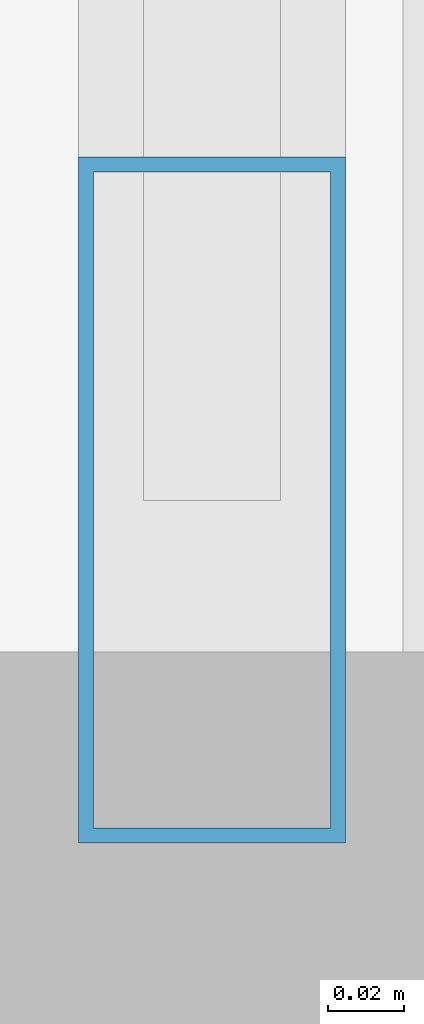
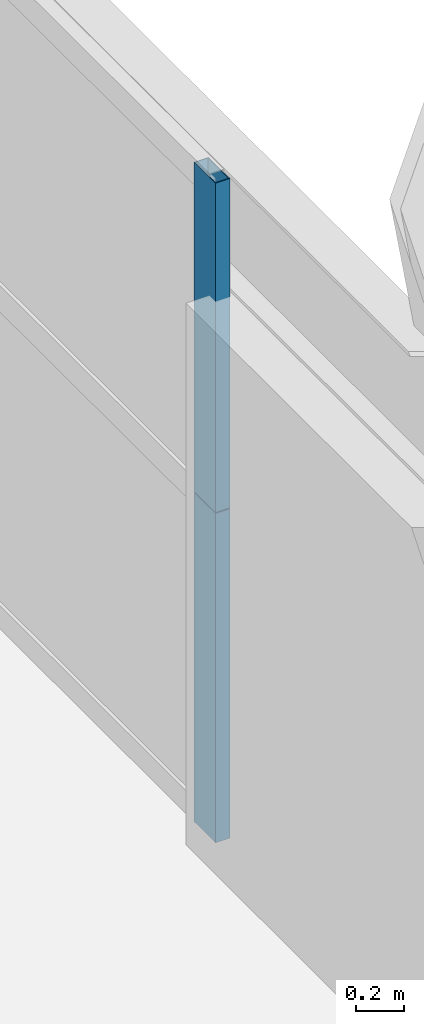
# One storey, part 16 of 41: 2 members, 1 element without a shape of its own.
"""IFC4 building model written with IfcOpenShell, lengths in metres."""

from ifc_helpers import new_model, si_unit, direction, frame, origin, origin_2d, place, context, subcontext, project, spatial, hollow_rectangle, extrude, source, transform, mapped, material, layer, layer_set, material_profile, profile_set, type_object, element, aggregate, save


model = new_model("IFC4")

# Units and contexts
model_context = context("Model", 3, precision=1e-05, world=origin(), true_north=direction((0.0, 1.0)))
body_context = subcontext(model_context, "Body", "Model", "MODEL_VIEW")
ifc_project = project(units=[si_unit("LENGTHUNIT", "METRE"), si_unit("AREAUNIT", "SQUARE_METRE"), si_unit("VOLUMEUNIT", "CUBIC_METRE"), si_unit("PLANEANGLEUNIT", "RADIAN"), si_unit("MASSUNIT", "GRAM", prefix="KILO"), si_unit("THERMODYNAMICTEMPERATUREUNIT", "KELVIN"), si_unit("POWERUNIT", "WATT")], contexts=[model_context])

# Site, building, storey
site_placement = place(None, origin())
site = spatial("IfcSite", under=ifc_project, at=site_placement, CompositionType="ELEMENT")
building_placement = place(site_placement, origin())
building = spatial("IfcBuilding", under=site, at=building_placement, Name="Yuzanri Waterfront Tower", CompositionType="ELEMENT")
storey_placement = place(building_placement, frame((0.0, 0.0, 115.39990234375)))
storey = spatial("IfcBuildingStorey", under=building, at=storey_placement, Name="L30", CompositionType="ELEMENT", Elevation=115.39990234375)

# Curtain wall, members
ifc_material_1 = material(Name="Anodized Architectural Bronze", Category="metal")
ifc_layer = layer(ifc_material_1, 0.159912109375)
ifc_layer_set = layer_set([ifc_layer], Name="Anodized Architectural Bronze")
curtain_wall_type = type_object("IfcCurtainWallType", Name="Anodized Bronze Hotel Upper-Tier Solar-Control Unitized Curtain Wall 7800", PredefinedType="NOTDEFINED", material=ifc_layer_set)
curtain_wall_placement = place(storey_placement, origin())
curtain_wall = element("IfcCurtainWall", 1, at=curtain_wall_placement, inside=storey, type_object=curtain_wall_type, Name="L30 Curtain Wall CW-L30-EL", PredefinedType="NOTDEFINED")
ifc_material_2 = material(Name="Anodized Architectural Bronze", Category="metal")
ifc_material_profile = material_profile(ifc_material_2, hollow_rectangle(XDim=0.070068359375, YDim=0.179931640625, WallThickness=0.00390625, at=origin_2d()), Name="CWM 70x180")
ifc_profile_set = profile_set([ifc_material_profile], Name="Anodized Architectural Bronze")
member_type = type_object("IfcMemberType", Name="Anodized Bronze Standard Curtain-Wall Mullion 70x180", PredefinedType="MULLION", material=ifc_profile_set)
shared_shape = source(origin(), body_context, "Body", "SweptSolid", [
    extrude(hollow_rectangle(XDim=0.070068359375, YDim=0.179931640625, WallThickness=0.00390625, at=origin_2d()), origin(), (0.0, 0.0, 1.0), 1.68798828125),
])
member_1_placement = place(storey_placement, frame((60.449951171875, 9.590087890625, 0.0), z_axis=(0.0, 0.0, 1.0), x_axis=(1.0, 0.0, 0.0)))
member_1 = element("IfcMember", 2, at=member_1_placement, type_object=member_type, Name="CW-L30-EL Lower Mullion 00", PredefinedType="MULLION", context=body_context, shape_type="MappedRepresentation", body=[
    mapped(shared_shape, transform((0.0, 0.0, 0.0), scale=1.0)),
])
member_2_placement = place(storey_placement, frame((60.449951171875, 9.590087890625, 1.692138671875), z_axis=(0.0, 0.0, 1.0), x_axis=(1.0, 0.0, 0.0)))
member_2 = element("IfcMember", 3, at=member_2_placement, type_object=member_type, Name="CW-L30-EL Upper Mullion 00", PredefinedType="MULLION", context=body_context, shape_type="MappedRepresentation", body=[
    mapped(shared_shape, transform((0.0, 0.0, 0.0), scale=1.0)),
])
aggregate(curtain_wall, [member_1, member_2])

save(model, "model.ifc")
